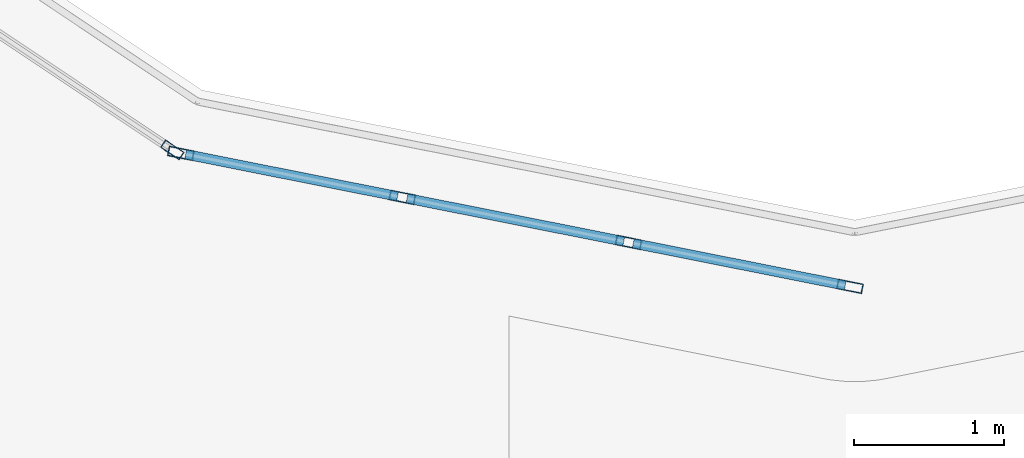
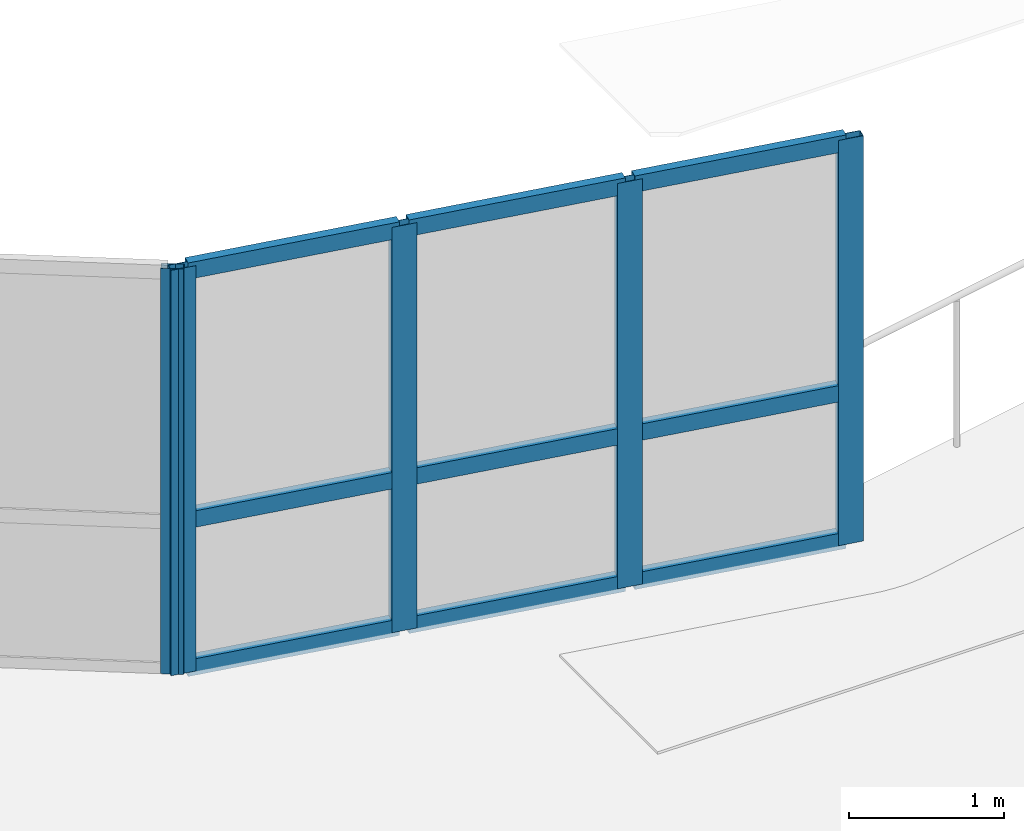
# One storey, part 13 of 103: 14 members, 2 elements without a shape of their own.
"""IFC4 building model written with IfcOpenShell, lengths in metres."""

from ifc_helpers import new_model, si_unit, direction, frame, origin, origin_2d, place, context, subcontext, project, spatial, hollow_rectangle, extrude, material, layer, layer_set, material_profile, profile_set, type_object, element, aggregate, save


model = new_model("IFC4")

# Units and contexts
model_context = context("Model", 3, precision=1e-05, world=origin(), true_north=direction((0.0, 1.0)))
body_context = subcontext(model_context, "Body", "Model", "MODEL_VIEW")
ifc_project = project(units=[si_unit("LENGTHUNIT", "METRE"), si_unit("AREAUNIT", "SQUARE_METRE"), si_unit("VOLUMEUNIT", "CUBIC_METRE"), si_unit("PLANEANGLEUNIT", "RADIAN"), si_unit("MASSUNIT", "GRAM", prefix="KILO"), si_unit("THERMODYNAMICTEMPERATUREUNIT", "KELVIN")], contexts=[model_context])

# Site, building, storey
site_placement = place(None, origin())
site = spatial("IfcSite", under=ifc_project, at=site_placement, CompositionType="ELEMENT")
building_placement = place(site_placement, origin())
building = spatial("IfcBuilding", under=site, at=building_placement, Name="Lustrewick Department Store", CompositionType="ELEMENT")
storey_placement = place(building_placement, frame((0.0, 0.0, 16.5)))
storey = spatial("IfcBuildingStorey", under=building, at=storey_placement, Name="L04", CompositionType="ELEMENT", Elevation=16.5)

# Curtain wall, members
ifc_material = material(Name="Thermally broken aluminium 6063-T5", Category="aluminium")
ifc_layer_1 = layer(ifc_material, 0.169921875, Name="Thermally broken aluminium 6063-T5")
ifc_layer_set_1 = layer_set([ifc_layer_1], Name="Thermally broken aluminium 6063-T5")
curtain_wall_type_1 = type_object("IfcCurtainWallType", Name="CW16", PredefinedType="NOTDEFINED", material=ifc_layer_set_1)
curtain_wall_1_placement = place(storey_placement, origin())
curtain_wall_1 = element("IfcCurtainWall", 1, at=curtain_wall_1_placement, inside=storey, type_object=curtain_wall_type_1, Name="L04 Atrium Glazed Screen CW16", PredefinedType="NOTDEFINED")
ifc_material_profile_1 = material_profile(ifc_material, hollow_rectangle(XDim=0.06494140625, YDim=0.169921875, WallThickness=0.00390625, at=origin_2d()), Name="ALU-M 65x170x4")
ifc_profile_set_1 = profile_set([ifc_material_profile_1], Name="Thermally broken aluminium 6063-T5")
member_type_1 = type_object("IfcMemberType", Name="CW16-M1", PredefinedType="MULLION", material=ifc_profile_set_1)
member_1_placement = place(storey_placement, frame((24.89697265625, 56.24560546875, 0.0), z_axis=(0.0, 0.0, 1.0), x_axis=(0.195084537521, 0.980786430993, 0.0)))
member_1 = element("IfcMember", 2, at=member_1_placement, type_object=member_type_1, Name="CW16 mullion 1", PredefinedType="MULLION", context=body_context, shape_type="SweptSolid", body=[
    extrude(hollow_rectangle(XDim=0.06494140625, YDim=0.169921875, WallThickness=0.00390625, at=origin_2d()), origin(), (0.0, 0.0, 1.0), 3.199951171875),
])
member_2_placement = place(storey_placement, frame((26.376708984375, 55.951416015625, 0.0), z_axis=(0.0, 0.0, 1.0), x_axis=(0.195084537521, 0.980786430993, 0.0)))
member_2 = element("IfcMember", 3, at=member_2_placement, type_object=member_type_1, Name="CW16 mullion 2", PredefinedType="MULLION", context=body_context, shape_type="SweptSolid", body=[
    extrude(hollow_rectangle(XDim=0.06494140625, YDim=0.169921875, WallThickness=0.00390625, at=origin_2d()), origin(), (0.0, 0.0, 1.0), 3.199951171875),
])
member_3_placement = place(storey_placement, frame((27.888427734375, 55.650634765625, 0.0), z_axis=(0.0, 0.0, 1.0), x_axis=(0.195084537521, 0.980786430993, 0.0)))
member_3 = element("IfcMember", 4, at=member_3_placement, type_object=member_type_1, Name="CW16 mullion 3", PredefinedType="MULLION", context=body_context, shape_type="SweptSolid", body=[
    extrude(hollow_rectangle(XDim=0.06494140625, YDim=0.169921875, WallThickness=0.00390625, at=origin_2d()), origin(), (0.0, 0.0, 1.0), 3.199951171875),
])
member_4_placement = place(storey_placement, frame((29.3681640625, 55.3564453125, 0.0), z_axis=(0.0, 0.0, 1.0), x_axis=(0.195084537521, 0.980786430993, 0.0)))
member_4 = element("IfcMember", 5, at=member_4_placement, type_object=member_type_1, Name="CW16 mullion 4", PredefinedType="MULLION", context=body_context, shape_type="SweptSolid", body=[
    extrude(hollow_rectangle(XDim=0.06494140625, YDim=0.169921875, WallThickness=0.00390625, at=origin_2d()), origin(), (0.0, 0.0, 1.0), 3.199951171875),
])
ifc_material_profile_2 = material_profile(ifc_material, hollow_rectangle(XDim=0.06494140625, YDim=0.1298828125, WallThickness=0.00341796875, at=origin_2d()), Name="ALU-T 65x130x3.5")
ifc_profile_set_2 = profile_set([ifc_material_profile_2], Name="Thermally broken aluminium 6063-T5")
member_type_2 = type_object("IfcMemberType", Name="CW16-T1", PredefinedType="USERDEFINED", material=ifc_profile_set_2)
member_5_placement = place(storey_placement, frame((24.928955078125, 56.2392578125, 0.032470703125), z_axis=(0.980807656141, -0.19497779785, 0.0), x_axis=(0.19497779785, 0.980807656141, 0.0)))
member_5 = element("IfcMember", 6, at=member_5_placement, type_object=member_type_2, Name="CW16 transom 1.1", ObjectType="TRANSOM", PredefinedType="USERDEFINED", context=body_context, shape_type="SweptSolid", body=[
    extrude(hollow_rectangle(XDim=0.06494140625, YDim=0.1298828125, WallThickness=0.00341796875, at=origin_2d()), origin(), (0.0, 0.0, 1.0), 1.443603515625),
])
member_6_placement = place(storey_placement, frame((24.928955078125, 56.2392578125, 1.199951171875), z_axis=(0.980807656141, -0.19497779785, 0.0), x_axis=(0.19497779785, 0.980807656141, 0.0)))
member_6 = element("IfcMember", 7, at=member_6_placement, type_object=member_type_2, Name="CW16 transom 1.2", ObjectType="TRANSOM", PredefinedType="USERDEFINED", context=body_context, shape_type="SweptSolid", body=[
    extrude(hollow_rectangle(XDim=0.06494140625, YDim=0.1298828125, WallThickness=0.00341796875, at=origin_2d()), origin(), (0.0, 0.0, 1.0), 1.443603515625),
])
member_7_placement = place(storey_placement, frame((24.928955078125, 56.2392578125, 3.16748046875), z_axis=(0.980807656141, -0.19497779785, 0.0), x_axis=(0.19497779785, 0.980807656141, 0.0)))
member_7 = element("IfcMember", 8, at=member_7_placement, type_object=member_type_2, Name="CW16 transom 1.3", ObjectType="TRANSOM", PredefinedType="USERDEFINED", context=body_context, shape_type="SweptSolid", body=[
    extrude(hollow_rectangle(XDim=0.06494140625, YDim=0.1298828125, WallThickness=0.00341796875, at=origin_2d()), origin(), (0.0, 0.0, 1.0), 1.443603515625),
])
member_8_placement = place(storey_placement, frame((26.40869140625, 55.945068359375, 0.032470703125), z_axis=(0.980771047684, -0.195161861091, 0.0), x_axis=(0.195161861091, 0.980771047684, 0.0)))
member_8 = element("IfcMember", 9, at=member_8_placement, type_object=member_type_2, Name="CW16 transom 2.1", ObjectType="TRANSOM", PredefinedType="USERDEFINED", context=body_context, shape_type="SweptSolid", body=[
    extrude(hollow_rectangle(XDim=0.06494140625, YDim=0.1298828125, WallThickness=0.00341796875, at=origin_2d()), origin(), (0.0, 0.0, 1.0), 1.47607421875),
])
member_9_placement = place(storey_placement, frame((26.40869140625, 55.945068359375, 1.199951171875), z_axis=(0.980771047684, -0.195161861091, 0.0), x_axis=(0.195161861091, 0.980771047684, 0.0)))
member_9 = element("IfcMember", 10, at=member_9_placement, type_object=member_type_2, Name="CW16 transom 2.2", ObjectType="TRANSOM", PredefinedType="USERDEFINED", context=body_context, shape_type="SweptSolid", body=[
    extrude(hollow_rectangle(XDim=0.06494140625, YDim=0.1298828125, WallThickness=0.00341796875, at=origin_2d()), origin(), (0.0, 0.0, 1.0), 1.47607421875),
])
member_10_placement = place(storey_placement, frame((26.40869140625, 55.945068359375, 3.16748046875), z_axis=(0.980771047684, -0.195161861091, 0.0), x_axis=(0.195161861091, 0.980771047684, 0.0)))
member_10 = element("IfcMember", 11, at=member_10_placement, type_object=member_type_2, Name="CW16 transom 2.3", ObjectType="TRANSOM", PredefinedType="USERDEFINED", context=body_context, shape_type="SweptSolid", body=[
    extrude(hollow_rectangle(XDim=0.06494140625, YDim=0.1298828125, WallThickness=0.00341796875, at=origin_2d()), origin(), (0.0, 0.0, 1.0), 1.47607421875),
])
member_11_placement = place(storey_placement, frame((27.920166015625, 55.644287109375, 0.032470703125), z_axis=(0.980807656141, -0.19497779785, 0.0), x_axis=(0.19497779785, 0.980807656141, 0.0)))
member_11 = element("IfcMember", 12, at=member_11_placement, type_object=member_type_2, Name="CW16 transom 3.1", ObjectType="TRANSOM", PredefinedType="USERDEFINED", context=body_context, shape_type="SweptSolid", body=[
    extrude(hollow_rectangle(XDim=0.06494140625, YDim=0.1298828125, WallThickness=0.00341796875, at=origin_2d()), origin(), (0.0, 0.0, 1.0), 1.443603515625),
])
member_12_placement = place(storey_placement, frame((27.920166015625, 55.644287109375, 1.199951171875), z_axis=(0.980807656141, -0.19497779785, 0.0), x_axis=(0.19497779785, 0.980807656141, 0.0)))
member_12 = element("IfcMember", 13, at=member_12_placement, type_object=member_type_2, Name="CW16 transom 3.2", ObjectType="TRANSOM", PredefinedType="USERDEFINED", context=body_context, shape_type="SweptSolid", body=[
    extrude(hollow_rectangle(XDim=0.06494140625, YDim=0.1298828125, WallThickness=0.00341796875, at=origin_2d()), origin(), (0.0, 0.0, 1.0), 1.443603515625),
])
member_13_placement = place(storey_placement, frame((27.920166015625, 55.644287109375, 3.16748046875), z_axis=(0.980807656141, -0.19497779785, 0.0), x_axis=(0.19497779785, 0.980807656141, 0.0)))
member_13 = element("IfcMember", 14, at=member_13_placement, type_object=member_type_2, Name="CW16 transom 3.3", ObjectType="TRANSOM", PredefinedType="USERDEFINED", context=body_context, shape_type="SweptSolid", body=[
    extrude(hollow_rectangle(XDim=0.06494140625, YDim=0.1298828125, WallThickness=0.00341796875, at=origin_2d()), origin(), (0.0, 0.0, 1.0), 1.443603515625),
])
aggregate(curtain_wall_1, [member_1, member_2, member_3, member_4, member_5, member_6, member_7, member_8, member_9, member_10, member_11, member_12, member_13])

# Curtain wall, member
ifc_layer_2 = layer(ifc_material, 0.14990234375, Name="Thermally broken aluminium 6063-T5")
ifc_layer_set_2 = layer_set([ifc_layer_2], Name="Thermally broken aluminium 6063-T5")
curtain_wall_type_2 = type_object("IfcCurtainWallType", Name="CW18", PredefinedType="NOTDEFINED", material=ifc_layer_set_2)
curtain_wall_2_placement = place(storey_placement, origin())
curtain_wall_2 = element("IfcCurtainWall", 15, at=curtain_wall_2_placement, inside=storey, type_object=curtain_wall_type_2, Name="L04 Atrium Glazed Screen CW18", PredefinedType="NOTDEFINED")
ifc_material_profile_3 = material_profile(ifc_material, hollow_rectangle(XDim=0.06005859375, YDim=0.14990234375, WallThickness=0.00341796875, at=origin_2d()), Name="ALU-M 60x150x3.5")
ifc_profile_set_3 = profile_set([ifc_material_profile_3], Name="Thermally broken aluminium 6063-T5")
member_type_3 = type_object("IfcMemberType", Name="CW18-M1", PredefinedType="MULLION", material=ifc_profile_set_3)
member_14_placement = place(storey_placement, frame((24.84033203125, 56.2685546875, 0.0), z_axis=(0.0, 0.0, 1.0), x_axis=(0.555578313862, 0.831464212799, 0.0)))
member_14 = element("IfcMember", 16, at=member_14_placement, type_object=member_type_3, Name="CW18 mullion 4", PredefinedType="MULLION", context=body_context, shape_type="SweptSolid", body=[
    extrude(hollow_rectangle(XDim=0.06005859375, YDim=0.14990234375, WallThickness=0.00341796875, at=origin_2d()), origin(), (0.0, 0.0, 1.0), 3.199951171875),
])
aggregate(curtain_wall_2, [member_14])

save(model, "model.ifc")
